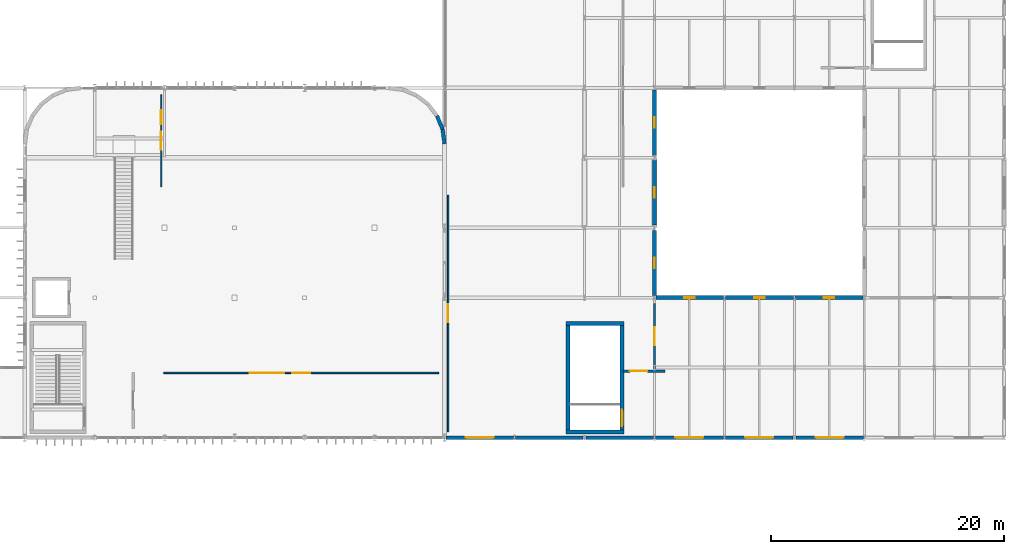
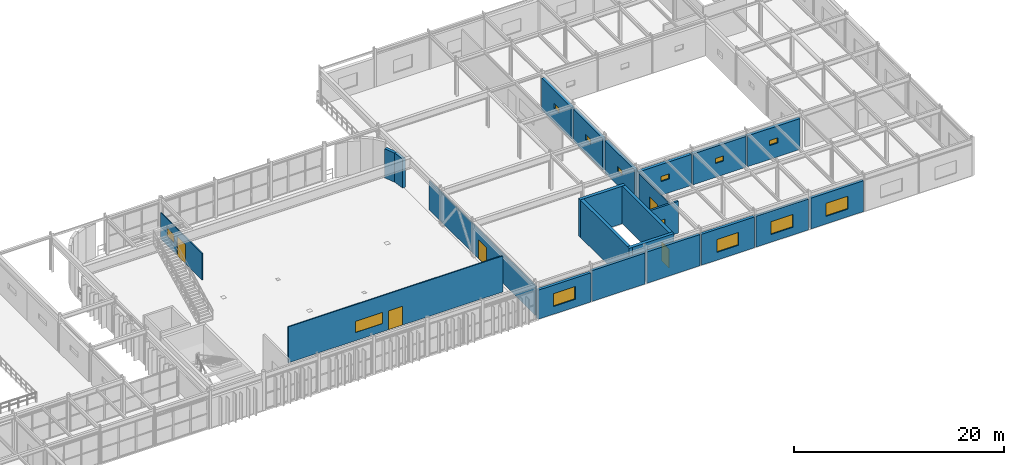
# One storey, part 60 of 84: 23 walls, 12 windows, 6 doors, 18 openings.
"""IFC4 building model written with IfcOpenShell, lengths in metres."""

from ifc_helpers import new_model, si_unit, direction, frame, frame_2d, origin, place, context, subcontext, project, spatial, rectangle, extrude, material, layer, layer_set, type_object, element, fill, save


model = new_model("IFC4")

# Units and contexts
model_context = context("Model", 3, precision=1e-05, world=origin(), true_north=direction((0.0, 1.0)))
body_context = subcontext(model_context, "Body", "Model", "MODEL_VIEW")
ifc_project = project(units=[si_unit("LENGTHUNIT", "METRE"), si_unit("AREAUNIT", "SQUARE_METRE"), si_unit("VOLUMEUNIT", "CUBIC_METRE"), si_unit("PLANEANGLEUNIT", "RADIAN"), si_unit("MASSUNIT", "GRAM", prefix="KILO")], contexts=[model_context])

# Site, building, storey
site_placement = place(None, origin())
site = spatial("IfcSite", under=ifc_project, at=site_placement, CompositionType="ELEMENT")
building_placement = place(site_placement, origin())
building = spatial("IfcBuilding", under=site, at=building_placement, Name="Varnakota Square Police Headquarters", CompositionType="ELEMENT")
storey_placement = place(building_placement, frame((0.0, 0.0, 13.5)))
storey = spatial("IfcBuildingStorey", under=building, at=storey_placement, Name="L03", CompositionType="ELEMENT", Elevation=13.5)

# Wall
ifc_material_1 = material(Name="Concrete M50", Category="concrete")
ifc_layer_1 = layer(ifc_material_1, 0.35009765625, Name="Concrete M50")
ifc_layer_set_1 = layer_set([ifc_layer_1], Name="Concrete M50")
wall_type_1 = type_object("IfcWallType", Name="WL-CORE-350", PredefinedType="SHEAR", material=ifc_layer_set_1)
wall_1_placement = place(storey_placement, frame((106.425048828125, 69.5, 0.0), z_axis=(0.0, 0.0, 1.0), x_axis=(1.0, 0.0, 0.0)))
element("IfcWall", 1, at=wall_1_placement, inside=storey, type_object=wall_type_1, Name="Core C9 shear wall L03 S", PredefinedType="SHEAR", context=body_context, shape_type="SweptSolid", body=[
    extrude(rectangle(XDim=4.949951171875, YDim=0.35009765625, at=frame_2d((2.47509765625, 0.0))), origin(), (0.0, 0.0, 1.0), 4.360107421875),
])

# Wall, opening, door
wall_2_placement = place(storey_placement, frame((111.199951171875, 69.324951171875, 0.0), z_axis=(0.0, 0.0, 1.0), x_axis=(0.0, 1.0, 0.0)))
wall_2 = element("IfcWall", 2, at=wall_2_placement, inside=storey, type_object=wall_type_1, Name="Core C9 shear wall L03 E", PredefinedType="SHEAR", context=body_context, shape_type="SweptSolid", body=[
    extrude(rectangle(XDim=9.650146484375, YDim=0.35009765625, at=frame_2d((4.8251953125, 0.0))), origin(), (0.0, 0.0, 1.0), 4.360107421875),
])
opening_1_placement = place(wall_2_placement, frame((0.655029296875, 0.0, 0.0)))
opening_1 = element("IfcOpeningElement", 3, at=opening_1_placement, cuts=wall_2, Name="Opening SD126", PredefinedType="OPENING", context=body_context, shape_type="SweptSolid", body=[
    extrude(rectangle(XDim=1.39990234375, YDim=2.199951171875, at=frame_2d((0.699951171875, 1.10009765625))), frame((0.0, 0.18505859375, 0.0), z_axis=(0.0, -1.0, 0.0), x_axis=(1.0, 0.0, 0.0)), (0.0, 0.0, 1.0), 0.3701171875),
])
ifc_material_2 = material(Name="Powder-Coated Galvanised Steel", Category="steel")
door_type_1 = type_object("IfcDoorType", Name="DR-ST-140", OperationType="NOTDEFINED", PredefinedType="DOOR", material=ifc_material_2)
door_1_placement = place(opening_1_placement, origin())
door_1 = element("IfcDoor", 4, at=door_1_placement, inside=storey, type_object=door_type_1, Name="Protected stair door SD126", OperationType="DOUBLE_DOOR_SINGLE_SWING", OverallHeight=2.199951171875, OverallWidth=1.39990234375, PredefinedType="DOOR", context=body_context, shape_type="SweptSolid", body=[
    extrude(rectangle(XDim=1.39990234375, YDim=2.199951171875, at=frame_2d((0.699951171875, 1.10009765625))), frame((0.0, 0.02490234375, 0.0), z_axis=(0.0, -1.0, 0.0), x_axis=(1.0, 0.0, 0.0)), (0.0, 0.0, 1.0), 0.050048828125),
])
fill(opening_1, door_1)

# Walls
wall_3_placement = place(storey_placement, frame((111.375, 78.800048828125, 0.0), z_axis=(0.0, 0.0, 1.0), x_axis=(-1.0, 0.0, 0.0)))
element("IfcWall", 5, at=wall_3_placement, inside=storey, type_object=wall_type_1, Name="Core C9 shear wall L03 N", PredefinedType="SHEAR", context=body_context, shape_type="SweptSolid", body=[
    extrude(rectangle(XDim=4.949951171875, YDim=0.35009765625, at=frame_2d((2.47509765625, 0.0))), origin(), (0.0, 0.0, 1.0), 4.360107421875),
])
wall_4_placement = place(storey_placement, frame((106.60009765625, 78.97509765625, 0.0), z_axis=(0.0, 0.0, 1.0), x_axis=(0.0, -1.0, 0.0)))
element("IfcWall", 6, at=wall_4_placement, inside=storey, type_object=wall_type_1, Name="Core C9 shear wall L03 W", PredefinedType="SHEAR", context=body_context, shape_type="SweptSolid", body=[
    extrude(rectangle(XDim=9.650146484375, YDim=0.35009765625, at=frame_2d((4.8251953125, 0.0))), origin(), (0.0, 0.0, 1.0), 4.360107421875),
])

# Wall, opening, window
ifc_material_3 = material(Name="Precast concrete M40", Category="concrete")
ifc_layer_2 = layer(ifc_material_3, 0.300048828125, Name="Precast concrete M40")
ifc_layer_set_2 = layer_set([ifc_layer_2], Name="Precast concrete M40")
wall_type_2 = type_object("IfcWallType", Name="WL-EXT-300", PredefinedType="SOLIDWALL", material=ifc_layer_set_2)
wall_5_placement = place(storey_placement, frame((96.12890625, 69.0, 0.0), z_axis=(0.0, 0.0, 1.0), x_axis=(1.0, 0.0, 0.0)))
wall_5 = element("IfcWall", 7, at=wall_5_placement, inside=storey, type_object=wall_type_2, Name="Exterior wall EW-L03-0768", PredefinedType="SOLIDWALL", context=body_context, shape_type="SweptSolid", body=[
    extrude(rectangle(XDim=5.797119140625, YDim=0.300048828125, at=frame_2d((2.8984375, 0.0))), origin(), (0.0, 0.0, 1.0), 3.389892578125),
])
opening_2_placement = place(wall_5_placement, frame((1.698486328125, 0.0, 0.89990234375)))
opening_2 = element("IfcOpeningElement", 8, at=opening_2_placement, cuts=wall_5, Name="Opening W02", PredefinedType="OPENING", context=body_context, shape_type="SweptSolid", body=[
    extrude(rectangle(XDim=2.39990234375, YDim=1.5, at=frame_2d((1.199951171875, 0.75))), frame((0.0, 0.159912109375, 0.0), z_axis=(0.0, -1.0, 0.0), x_axis=(1.0, 0.0, 0.0)), (0.0, 0.0, 1.0), 0.320068359375),
])
ifc_material_4 = material(Name="Thermally Broken Aluminium Double-Glazed Window", Category="aluminium")
window_type_1 = type_object("IfcWindowType", Name="WIN-02", PartitioningType="SINGLE_PANEL", PredefinedType="WINDOW", material=ifc_material_4)
window_1_placement = place(opening_2_placement, origin())
window_1 = element("IfcWindow", 9, at=window_1_placement, inside=storey, type_object=window_type_1, Name="Window WN-L03-0267", OverallHeight=1.5, OverallWidth=2.39990234375, PartitioningType="SINGLE_PANEL", PredefinedType="WINDOW", context=body_context, shape_type="SweptSolid", body=[
    extrude(rectangle(XDim=2.39990234375, YDim=1.5, at=frame_2d((1.199951171875, 0.75))), frame((0.0, 0.030029296875, 0.0), z_axis=(0.0, -1.0, 0.0), x_axis=(1.0, 0.0, 0.0)), (0.0, 0.0, 1.0), 0.06005859375),
])
fill(opening_2, window_1)

# Walls
wall_6_placement = place(storey_placement, frame((102.073974609375, 69.0, 0.0), z_axis=(0.0, 0.0, 1.0), x_axis=(1.0, 0.0, 0.0)))
element("IfcWall", 10, at=wall_6_placement, inside=storey, type_object=wall_type_2, Name="Exterior wall EW-L03-0769", PredefinedType="SOLIDWALL", context=body_context, shape_type="SweptSolid", body=[
    extrude(rectangle(XDim=5.797119140625, YDim=0.300048828125, at=frame_2d((2.8984375, 0.0))), origin(), (0.0, 0.0, 1.0), 3.590087890625),
])
wall_7_placement = place(storey_placement, frame((108.12890625, 69.0, 0.0), z_axis=(0.0, 0.0, 1.0), x_axis=(1.0, 0.0, 0.0)))
element("IfcWall", 11, at=wall_7_placement, inside=storey, type_object=wall_type_2, Name="Exterior wall EW-L03-0770", PredefinedType="SOLIDWALL", context=body_context, shape_type="SweptSolid", body=[
    extrude(rectangle(XDim=5.7919921875, YDim=0.300048828125, at=frame_2d((2.89599609375, 0.0))), origin(), (0.0, 0.0, 1.0), 3.639892578125),
])

# Wall, opening, window
wall_8_placement = place(storey_placement, frame((114.0791015625, 69.0, 0.0), z_axis=(0.0, 0.0, 1.0), x_axis=(1.0, 0.0, 0.0)))
wall_8 = element("IfcWall", 12, at=wall_8_placement, inside=storey, type_object=wall_type_2, Name="Exterior wall EW-L03-0771", PredefinedType="SOLIDWALL", context=body_context, shape_type="SweptSolid", body=[
    extrude(rectangle(XDim=5.846923828125, YDim=0.300048828125, at=frame_2d((2.92333984375, 0.0))), origin(), (0.0, 0.0, 1.0), 3.590087890625),
])
opening_3_placement = place(wall_8_placement, frame((1.723388671875, 0.0, 0.89990234375)))
opening_3 = element("IfcOpeningElement", 13, at=opening_3_placement, cuts=wall_8, Name="Opening W02", PredefinedType="OPENING", context=body_context, shape_type="SweptSolid", body=[
    extrude(rectangle(XDim=2.39990234375, YDim=1.5, at=frame_2d((1.199951171875, 0.75))), frame((0.0, 0.159912109375, 0.0), z_axis=(0.0, -1.0, 0.0), x_axis=(1.0, 0.0, 0.0)), (0.0, 0.0, 1.0), 0.320068359375),
])
window_2_placement = place(opening_3_placement, origin())
window_2 = element("IfcWindow", 14, at=window_2_placement, inside=storey, type_object=window_type_1, Name="Window WN-L03-0268", OverallHeight=1.5, OverallWidth=2.39990234375, PartitioningType="SINGLE_PANEL", PredefinedType="WINDOW", context=body_context, shape_type="SweptSolid", body=[
    extrude(rectangle(XDim=2.39990234375, YDim=1.5, at=frame_2d((1.199951171875, 0.75))), frame((0.0, 0.030029296875, 0.0), z_axis=(0.0, -1.0, 0.0), x_axis=(1.0, 0.0, 0.0)), (0.0, 0.0, 1.0), 0.06005859375),
])
fill(opening_3, window_2)

wall_9_placement = place(storey_placement, frame((120.073974609375, 69.0, 0.0), z_axis=(0.0, 0.0, 1.0), x_axis=(1.0, 0.0, 0.0)))
wall_9 = element("IfcWall", 15, at=wall_9_placement, inside=storey, type_object=wall_type_2, Name="Exterior wall EW-L03-0772", PredefinedType="SOLIDWALL", context=body_context, shape_type="SweptSolid", body=[
    extrude(rectangle(XDim=5.797119140625, YDim=0.300048828125, at=frame_2d((2.8984375, 0.0))), origin(), (0.0, 0.0, 1.0), 3.590087890625),
])
opening_4_placement = place(wall_9_placement, frame((1.698486328125, 0.0, 0.89990234375)))
opening_4 = element("IfcOpeningElement", 16, at=opening_4_placement, cuts=wall_9, Name="Opening W02", PredefinedType="OPENING", context=body_context, shape_type="SweptSolid", body=[
    extrude(rectangle(XDim=2.39990234375, YDim=1.5, at=frame_2d((1.199951171875, 0.75))), frame((0.0, 0.159912109375, 0.0), z_axis=(0.0, -1.0, 0.0), x_axis=(1.0, 0.0, 0.0)), (0.0, 0.0, 1.0), 0.320068359375),
])
window_3_placement = place(opening_4_placement, origin())
window_3 = element("IfcWindow", 17, at=window_3_placement, inside=storey, type_object=window_type_1, Name="Window WN-L03-0269", OverallHeight=1.5, OverallWidth=2.39990234375, PartitioningType="SINGLE_PANEL", PredefinedType="WINDOW", context=body_context, shape_type="SweptSolid", body=[
    extrude(rectangle(XDim=2.39990234375, YDim=1.5, at=frame_2d((1.199951171875, 0.75))), frame((0.0, 0.030029296875, 0.0), z_axis=(0.0, -1.0, 0.0), x_axis=(1.0, 0.0, 0.0)), (0.0, 0.0, 1.0), 0.06005859375),
])
fill(opening_4, window_3)

wall_10_placement = place(storey_placement, frame((126.12890625, 69.0, 0.0), z_axis=(0.0, 0.0, 1.0), x_axis=(1.0, 0.0, 0.0)))
wall_10 = element("IfcWall", 18, at=wall_10_placement, inside=storey, type_object=wall_type_2, Name="Exterior wall EW-L03-0773", PredefinedType="SOLIDWALL", context=body_context, shape_type="SweptSolid", body=[
    extrude(rectangle(XDim=5.7919921875, YDim=0.300048828125, at=frame_2d((2.89599609375, 0.0))), origin(), (0.0, 0.0, 1.0), 3.590087890625),
])
opening_5_placement = place(wall_10_placement, frame((1.696044921875, 0.0, 0.89990234375)))
opening_5 = element("IfcOpeningElement", 19, at=opening_5_placement, cuts=wall_10, Name="Opening W02", PredefinedType="OPENING", context=body_context, shape_type="SweptSolid", body=[
    extrude(rectangle(XDim=2.39990234375, YDim=1.5, at=frame_2d((1.199951171875, 0.75))), frame((0.0, 0.159912109375, 0.0), z_axis=(0.0, -1.0, 0.0), x_axis=(1.0, 0.0, 0.0)), (0.0, 0.0, 1.0), 0.320068359375),
])
window_4_placement = place(opening_5_placement, origin())
window_4 = element("IfcWindow", 20, at=window_4_placement, inside=storey, type_object=window_type_1, Name="Window WN-L03-0270", OverallHeight=1.5, OverallWidth=2.39990234375, PartitioningType="SINGLE_PANEL", PredefinedType="WINDOW", context=body_context, shape_type="SweptSolid", body=[
    extrude(rectangle(XDim=2.39990234375, YDim=1.5, at=frame_2d((1.199951171875, 0.75))), frame((0.0, 0.030029296875, 0.0), z_axis=(0.0, -1.0, 0.0), x_axis=(1.0, 0.0, 0.0)), (0.0, 0.0, 1.0), 0.06005859375),
])
fill(opening_5, window_4)

# Walls
ifc_layer_3 = layer(ifc_material_3, 0.320068359375, Name="Precast concrete M40")
ifc_layer_set_3 = layer_set([ifc_layer_3], Name="Precast concrete M40")
wall_type_3 = type_object("IfcWallType", Name="WL-EXT-320", PredefinedType="SOLIDWALL", material=ifc_layer_set_3)
for number, where, z_axis, x_axis, name in (
    (21, (96.0, 94.199951171875, 0.0), (0.0, 0.0, 1.0), (-0.130530106475, 0.991444346045, 0.0), "Exterior wall EW-L03-0530"),
    (22, (95.83642578125, 95.4423828125, 0.0), (0.0, 0.0, 1.0), (-0.382650053678, 0.92389335771, 0.0), "Exterior wall EW-L03-0531"),
):
    element("IfcWall", number, at=place(storey_placement, frame(where, z_axis=z_axis, x_axis=x_axis)), inside=storey, type_object=wall_type_3, Name=name, PredefinedType="SOLIDWALL", context=body_context, shape_type="SweptSolid", body=[
        extrude(rectangle(XDim=1.253173828125, YDim=0.320068359375, at=frame_2d((0.62646484375, 0.0))), origin(), (0.0, 0.0, 1.0), 3.389892578125),
    ])

# Wall, opening, window
ifc_material_5 = material(Name="Concrete M40", Category="concrete")
ifc_layer_4 = layer(ifc_material_5, 0.340087890625, Name="Concrete M40")
ifc_layer_set_4 = layer_set([ifc_layer_4], Name="Concrete M40")
wall_type_4 = type_object("IfcWallType", Name="WL-EXT-340", PredefinedType="SOLIDWALL", material=ifc_layer_set_4)
wall_11_placement = place(storey_placement, frame((114.12890625, 81.0, 0.0), z_axis=(0.0, 0.0, 1.0), x_axis=(1.0, 0.0, 0.0)))
wall_11 = element("IfcWall", 23, at=wall_11_placement, inside=storey, type_object=wall_type_4, Name="Exterior wall EW-L03-0783", PredefinedType="SOLIDWALL", context=body_context, shape_type="SweptSolid", body=[
    extrude(rectangle(XDim=5.7919921875, YDim=0.340087890625, at=frame_2d((2.89599609375, 0.0))), origin(), (0.0, 0.0, 1.0), 3.590087890625),
])
opening_6_placement = place(wall_11_placement, frame((2.446044921875, 0.0, 1.60009765625)))
opening_6 = element("IfcOpeningElement", 24, at=opening_6_placement, cuts=wall_11, Name="Opening W13", PredefinedType="OPENING", context=body_context, shape_type="SweptSolid", body=[
    extrude(rectangle(XDim=0.89990234375, YDim=0.60009765625, at=frame_2d((0.449951171875, 0.300048828125))), frame((0.0, 0.179931640625, 0.0), z_axis=(0.0, -1.0, 0.0), x_axis=(1.0, 0.0, 0.0)), (0.0, 0.0, 1.0), 0.360107421875),
])
window_type_2 = type_object("IfcWindowType", Name="WIN-13", PartitioningType="SINGLE_PANEL", PredefinedType="WINDOW", material=ifc_material_4)
window_5_placement = place(opening_6_placement, origin())
window_5 = element("IfcWindow", 25, at=window_5_placement, inside=storey, type_object=window_type_2, Name="Window WN-L03-0280", OverallHeight=0.60009765625, OverallWidth=0.89990234375, PartitioningType="SINGLE_PANEL", PredefinedType="WINDOW", context=body_context, shape_type="SweptSolid", body=[
    extrude(rectangle(XDim=0.89990234375, YDim=0.60009765625, at=frame_2d((0.449951171875, 0.300048828125))), frame((0.0, 0.030029296875, 0.0), z_axis=(0.0, -1.0, 0.0), x_axis=(1.0, 0.0, 0.0)), (0.0, 0.0, 1.0), 0.06005859375),
])
fill(opening_6, window_5)

wall_12_placement = place(storey_placement, frame((120.0791015625, 81.0, 0.0), z_axis=(0.0, 0.0, 1.0), x_axis=(1.0, 0.0, 0.0)))
wall_12 = element("IfcWall", 26, at=wall_12_placement, inside=storey, type_object=wall_type_4, Name="Exterior wall EW-L03-0785", PredefinedType="SOLIDWALL", context=body_context, shape_type="SweptSolid", body=[
    extrude(rectangle(XDim=5.846923828125, YDim=0.340087890625, at=frame_2d((2.92333984375, 0.0))), origin(), (0.0, 0.0, 1.0), 3.590087890625),
])
opening_7_placement = place(wall_12_placement, frame((2.473388671875, 0.0, 1.60009765625)))
opening_7 = element("IfcOpeningElement", 27, at=opening_7_placement, cuts=wall_12, Name="Opening W13", PredefinedType="OPENING", context=body_context, shape_type="SweptSolid", body=[
    extrude(rectangle(XDim=0.89990234375, YDim=0.60009765625, at=frame_2d((0.449951171875, 0.300048828125))), frame((0.0, 0.179931640625, 0.0), z_axis=(0.0, -1.0, 0.0), x_axis=(1.0, 0.0, 0.0)), (0.0, 0.0, 1.0), 0.360107421875),
])
window_6_placement = place(opening_7_placement, origin())
window_6 = element("IfcWindow", 28, at=window_6_placement, inside=storey, type_object=window_type_2, Name="Window WN-L03-0282", OverallHeight=0.60009765625, OverallWidth=0.89990234375, PartitioningType="SINGLE_PANEL", PredefinedType="WINDOW", context=body_context, shape_type="SweptSolid", body=[
    extrude(rectangle(XDim=0.89990234375, YDim=0.60009765625, at=frame_2d((0.449951171875, 0.300048828125))), frame((0.0, 0.030029296875, 0.0), z_axis=(0.0, -1.0, 0.0), x_axis=(1.0, 0.0, 0.0)), (0.0, 0.0, 1.0), 0.06005859375),
])
fill(opening_7, window_6)

wall_13_placement = place(storey_placement, frame((126.073974609375, 81.0, 0.0), z_axis=(0.0, 0.0, 1.0), x_axis=(1.0, 0.0, 0.0)))
wall_13 = element("IfcWall", 29, at=wall_13_placement, inside=storey, type_object=wall_type_4, Name="Exterior wall EW-L03-0787", PredefinedType="SOLIDWALL", context=body_context, shape_type="SweptSolid", body=[
    extrude(rectangle(XDim=5.797119140625, YDim=0.340087890625, at=frame_2d((2.8984375, 0.0))), origin(), (0.0, 0.0, 1.0), 3.590087890625),
])
opening_8_placement = place(wall_13_placement, frame((2.448486328125, 0.0, 1.60009765625)))
opening_8 = element("IfcOpeningElement", 30, at=opening_8_placement, cuts=wall_13, Name="Opening W13", PredefinedType="OPENING", context=body_context, shape_type="SweptSolid", body=[
    extrude(rectangle(XDim=0.89990234375, YDim=0.60009765625, at=frame_2d((0.449951171875, 0.300048828125))), frame((0.0, 0.179931640625, 0.0), z_axis=(0.0, -1.0, 0.0), x_axis=(1.0, 0.0, 0.0)), (0.0, 0.0, 1.0), 0.360107421875),
])
window_7_placement = place(opening_8_placement, origin())
window_7 = element("IfcWindow", 31, at=window_7_placement, inside=storey, type_object=window_type_2, Name="Window WN-L03-0284", OverallHeight=0.60009765625, OverallWidth=0.89990234375, PartitioningType="SINGLE_PANEL", PredefinedType="WINDOW", context=body_context, shape_type="SweptSolid", body=[
    extrude(rectangle(XDim=0.89990234375, YDim=0.60009765625, at=frame_2d((0.449951171875, 0.300048828125))), frame((0.0, 0.030029296875, 0.0), z_axis=(0.0, -1.0, 0.0), x_axis=(1.0, 0.0, 0.0)), (0.0, 0.0, 1.0), 0.06005859375),
])
fill(opening_8, window_7)

wall_14_placement = place(storey_placement, frame((114.0, 81.178955078125, 0.0), z_axis=(0.0, 0.0, 1.0), x_axis=(0.0, 1.0, 0.0)))
wall_14 = element("IfcWall", 32, at=wall_14_placement, inside=storey, type_object=wall_type_4, Name="Exterior wall EW-L03-0789", PredefinedType="SOLIDWALL", context=body_context, shape_type="SweptSolid", body=[
    extrude(rectangle(XDim=5.592041015625, YDim=0.340087890625, at=frame_2d((2.7958984375, 0.0))), origin(), (0.0, 0.0, 1.0), 3.739990234375),
])
opening_9_placement = place(wall_14_placement, frame((2.345947265625, 0.0, 1.60009765625)))
opening_9 = element("IfcOpeningElement", 33, at=opening_9_placement, cuts=wall_14, Name="Opening W13", PredefinedType="OPENING", context=body_context, shape_type="SweptSolid", body=[
    extrude(rectangle(XDim=0.89990234375, YDim=0.60009765625, at=frame_2d((0.449951171875, 0.300048828125))), frame((0.0, 0.179931640625, 0.0), z_axis=(0.0, -1.0, 0.0), x_axis=(1.0, 0.0, 0.0)), (0.0, 0.0, 1.0), 0.360107421875),
])
window_8_placement = place(opening_9_placement, origin())
window_8 = element("IfcWindow", 34, at=window_8_placement, inside=storey, type_object=window_type_2, Name="Window WN-L03-0286", OverallHeight=0.60009765625, OverallWidth=0.89990234375, PartitioningType="SINGLE_PANEL", PredefinedType="WINDOW", context=body_context, shape_type="SweptSolid", body=[
    extrude(rectangle(XDim=0.89990234375, YDim=0.60009765625, at=frame_2d((0.449951171875, 0.300048828125))), frame((0.0, 0.030029296875, 0.0), z_axis=(0.0, -1.0, 0.0), x_axis=(1.0, 0.0, 0.0)), (0.0, 0.0, 1.0), 0.06005859375),
])
fill(opening_9, window_8)

wall_15_placement = place(storey_placement, frame((114.0, 87.22900390625, 0.0), z_axis=(0.0, 0.0, 1.0), x_axis=(0.0, 1.0, 0.0)))
wall_15 = element("IfcWall", 35, at=wall_15_placement, inside=storey, type_object=wall_type_4, Name="Exterior wall EW-L03-0791", PredefinedType="SOLIDWALL", context=body_context, shape_type="SweptSolid", body=[
    extrude(rectangle(XDim=5.56689453125, YDim=0.340087890625, at=frame_2d((2.783447265625, 0.0))), origin(), (0.0, 0.0, 1.0), 3.739990234375),
])
opening_10_placement = place(wall_15_placement, frame((2.33349609375, 0.0, 1.60009765625)))
opening_10 = element("IfcOpeningElement", 36, at=opening_10_placement, cuts=wall_15, Name="Opening W13", PredefinedType="OPENING", context=body_context, shape_type="SweptSolid", body=[
    extrude(rectangle(XDim=0.89990234375, YDim=0.60009765625, at=frame_2d((0.449951171875, 0.300048828125))), frame((0.0, 0.179931640625, 0.0), z_axis=(0.0, -1.0, 0.0), x_axis=(1.0, 0.0, 0.0)), (0.0, 0.0, 1.0), 0.360107421875),
])
window_9_placement = place(opening_10_placement, origin())
window_9 = element("IfcWindow", 37, at=window_9_placement, inside=storey, type_object=window_type_2, Name="Window WN-L03-0288", OverallHeight=0.60009765625, OverallWidth=0.89990234375, PartitioningType="SINGLE_PANEL", PredefinedType="WINDOW", context=body_context, shape_type="SweptSolid", body=[
    extrude(rectangle(XDim=0.89990234375, YDim=0.60009765625, at=frame_2d((0.449951171875, 0.300048828125))), frame((0.0, 0.030029296875, 0.0), z_axis=(0.0, -1.0, 0.0), x_axis=(1.0, 0.0, 0.0)), (0.0, 0.0, 1.0), 0.06005859375),
])
fill(opening_10, window_9)

wall_16_placement = place(storey_placement, frame((114.0, 93.2041015625, 0.0), z_axis=(0.0, 0.0, 1.0), x_axis=(0.0, 1.0, 0.0)))
wall_16 = element("IfcWall", 38, at=wall_16_placement, inside=storey, type_object=wall_type_4, Name="Exterior wall EW-L03-0793", PredefinedType="SOLIDWALL", context=body_context, shape_type="SweptSolid", body=[
    extrude(rectangle(XDim=5.616943359375, YDim=0.340087890625, at=frame_2d((2.80859375, 0.0))), origin(), (0.0, 0.0, 1.0), 3.68994140625),
])
opening_11_placement = place(wall_16_placement, frame((2.3583984375, 0.0, 1.60009765625)))
opening_11 = element("IfcOpeningElement", 39, at=opening_11_placement, cuts=wall_16, Name="Opening W13", PredefinedType="OPENING", context=body_context, shape_type="SweptSolid", body=[
    extrude(rectangle(XDim=0.89990234375, YDim=0.60009765625, at=frame_2d((0.449951171875, 0.300048828125))), frame((0.0, 0.179931640625, 0.0), z_axis=(0.0, -1.0, 0.0), x_axis=(1.0, 0.0, 0.0)), (0.0, 0.0, 1.0), 0.360107421875),
])
window_10_placement = place(opening_11_placement, origin())
window_10 = element("IfcWindow", 40, at=window_10_placement, inside=storey, type_object=window_type_2, Name="Window WN-L03-0290", OverallHeight=0.60009765625, OverallWidth=0.89990234375, PartitioningType="SINGLE_PANEL", PredefinedType="WINDOW", context=body_context, shape_type="SweptSolid", body=[
    extrude(rectangle(XDim=0.89990234375, YDim=0.60009765625, at=frame_2d((0.449951171875, 0.300048828125))), frame((0.0, 0.030029296875, 0.0), z_axis=(0.0, -1.0, 0.0), x_axis=(1.0, 0.0, 0.0)), (0.0, 0.0, 1.0), 0.06005859375),
])
fill(opening_11, window_10)

# Wall, openings, door, window
ifc_material_6 = material(Name="Glazed Clean-Lab Modular Partition", Category="gypsum")
ifc_layer_5 = layer(ifc_material_6, 0.10498046875, Name="Glazed Clean-Lab Modular Partition")
ifc_layer_set_5 = layer_set([ifc_layer_5], Name="Glazed Clean-Lab Modular Partition")
wall_type_5 = type_object("IfcWallType", Name="WL-PRT-105", PredefinedType="PARTITIONING", material=ifc_layer_set_5)
wall_17_placement = place(storey_placement, frame((71.699951171875, 90.5, 0.0), z_axis=(0.0, 0.0, 1.0), x_axis=(0.0, 1.0, 0.0)))
wall_17 = element("IfcWall", 41, at=wall_17_placement, inside=storey, type_object=wall_type_5, Name="Interior partition PW-L03-0170 (112 Emergency Dispatch Hall)", PredefinedType="PARTITIONING", context=body_context, shape_type="SweptSolid", body=[
    extrude(rectangle(XDim=7.89990234375, YDim=0.10498046875, at=frame_2d((3.949951171875, 0.0))), origin(), (0.0, 0.0, 1.0), 3.090087890625),
])
opening_12_placement = place(wall_17_placement, frame((3.175048828125, 0.0, 0.0)))
opening_12 = element("IfcOpeningElement", 42, at=opening_12_placement, cuts=wall_17, Name="Opening D246", PredefinedType="OPENING", context=body_context, shape_type="SweptSolid", body=[
    extrude(rectangle(XDim=1.550048828125, YDim=2.199951171875, at=frame_2d((0.77490234375, 1.10009765625))), frame((0.0, 0.0625, 0.0), z_axis=(0.0, -1.0, 0.0), x_axis=(1.0, 0.0, 0.0)), (0.0, 0.0, 1.0), 0.125),
])
opening_13_placement = place(wall_17_placement, frame((5.375, 0.0, 1.14990234375)))
opening_13 = element("IfcOpeningElement", 43, at=opening_13_placement, cuts=wall_17, Name="Opening IW05", PredefinedType="OPENING", context=body_context, shape_type="SweptSolid", body=[
    extrude(rectangle(XDim=1.199951171875, YDim=0.89990234375, at=frame_2d((0.60009765625, 0.449951171875))), frame((0.0, 0.0625, 0.0), z_axis=(0.0, -1.0, 0.0), x_axis=(1.0, 0.0, 0.0)), (0.0, 0.0, 1.0), 0.125),
])
ifc_material_7 = material(Name="Solid-Core Acoustic Oak Veneer Timber", Category="wood")
door_type_2 = type_object("IfcDoorType", Name="DR-BRF-155", OperationType="NOTDEFINED", PredefinedType="DOOR", material=ifc_material_7)
door_2_placement = place(opening_12_placement, origin())
door_2 = element("IfcDoor", 44, at=door_2_placement, inside=storey, type_object=door_type_2, Name="Room door D246 (112 Emergency Dispatch Hall)", OperationType="DOUBLE_DOOR_SINGLE_SWING", OverallHeight=2.199951171875, OverallWidth=1.550048828125, PredefinedType="DOOR", context=body_context, shape_type="SweptSolid", body=[
    extrude(rectangle(XDim=1.550048828125, YDim=2.199951171875, at=frame_2d((0.77490234375, 1.10009765625))), frame((0.0, 0.02490234375, 0.0), z_axis=(0.0, -1.0, 0.0), x_axis=(1.0, 0.0, 0.0)), (0.0, 0.0, 1.0), 0.050048828125),
])
fill(opening_12, door_2)
ifc_material_8 = material(Name="Acoustic Laminated Interior Vision Glazing", Category="glass")
window_type_3 = type_object("IfcWindowType", Name="WIN-INT-05", PartitioningType="SINGLE_PANEL", PredefinedType="WINDOW", material=ifc_material_8)
window_11_placement = place(opening_13_placement, origin())
window_11 = element("IfcWindow", 45, at=window_11_placement, inside=storey, type_object=window_type_3, Name="Interior observation window IWN-L03-029", OverallHeight=0.89990234375, OverallWidth=1.199951171875, PartitioningType="SINGLE_PANEL", PredefinedType="WINDOW", context=body_context, shape_type="SweptSolid", body=[
    extrude(rectangle(XDim=1.199951171875, YDim=0.89990234375, at=frame_2d((0.60009765625, 0.449951171875))), frame((0.0, 0.030029296875, 0.0), z_axis=(0.0, -1.0, 0.0), x_axis=(1.0, 0.0, 0.0)), (0.0, 0.0, 1.0), 0.06005859375),
])
fill(opening_13, window_11)

ifc_material_9 = material(Name="Acoustic Insulated Metal-Stud Partition", Category="gypsum")
ifc_layer_6 = layer(ifc_material_9, 0.125, Name="Acoustic Insulated Metal-Stud Partition")
ifc_layer_set_6 = layer_set([ifc_layer_6], Name="Acoustic Insulated Metal-Stud Partition")
wall_type_6 = type_object("IfcWallType", Name="WL-PRT-125", PredefinedType="PARTITIONING", material=ifc_layer_set_6)
wall_18_placement = place(storey_placement, frame((95.5, 74.550048828125, 0.0), z_axis=(0.0, 0.0, 1.0), x_axis=(-1.0, 0.0, 0.0)))
wall_18 = element("IfcWall", 46, at=wall_18_placement, inside=storey, type_object=wall_type_6, Name="Interior partition PW-L03-0169 (Integrated Command and Control Room)", PredefinedType="PARTITIONING", context=body_context, shape_type="SweptSolid", body=[
    extrude(rectangle(XDim=23.60009765625, YDim=0.125, at=frame_2d((11.800048828125, 0.0))), origin(), (0.0, 0.0, 1.0), 4.18994140625),
])
opening_14_placement = place(wall_18_placement, frame((11.02490234375, 0.0, 0.0)))
opening_14 = element("IfcOpeningElement", 47, at=opening_14_placement, cuts=wall_18, Name="Opening D245", PredefinedType="OPENING", context=body_context, shape_type="SweptSolid", body=[
    extrude(rectangle(XDim=1.550048828125, YDim=2.199951171875, at=frame_2d((0.77490234375, 1.10009765625))), frame((0.0, 0.072509765625, 0.0), z_axis=(0.0, -1.0, 0.0), x_axis=(1.0, 0.0, 0.0)), (0.0, 0.0, 1.0), 0.14501953125),
])
opening_15_placement = place(wall_18_placement, frame((13.22509765625, 0.0, 0.949951171875)))
opening_15 = element("IfcOpeningElement", 48, at=opening_15_placement, cuts=wall_18, Name="Opening IW04", PredefinedType="OPENING", context=body_context, shape_type="SweptSolid", body=[
    extrude(rectangle(XDim=3.0, YDim=1.300048828125, at=frame_2d((1.5, 0.64990234375))), frame((0.0, 0.072509765625, 0.0), z_axis=(0.0, -1.0, 0.0), x_axis=(1.0, 0.0, 0.0)), (0.0, 0.0, 1.0), 0.14501953125),
])
door_3_placement = place(opening_14_placement, origin())
door_3 = element("IfcDoor", 49, at=door_3_placement, inside=storey, type_object=door_type_2, Name="Room door D245 (Integrated Command and Control Room)", OperationType="DOUBLE_DOOR_SINGLE_SWING", OverallHeight=2.199951171875, OverallWidth=1.550048828125, PredefinedType="DOOR", context=body_context, shape_type="SweptSolid", body=[
    extrude(rectangle(XDim=1.550048828125, YDim=2.199951171875, at=frame_2d((0.77490234375, 1.10009765625))), frame((0.0, 0.02490234375, 0.0), z_axis=(0.0, -1.0, 0.0), x_axis=(1.0, 0.0, 0.0)), (0.0, 0.0, 1.0), 0.050048828125),
])
fill(opening_14, door_3)
window_type_4 = type_object("IfcWindowType", Name="WIN-INT-04", PartitioningType="SINGLE_PANEL", PredefinedType="WINDOW", material=ifc_material_8)
window_12_placement = place(opening_15_placement, origin())
window_12 = element("IfcWindow", 50, at=window_12_placement, inside=storey, type_object=window_type_4, Name="Interior observation window IWN-L03-028", OverallHeight=1.300048828125, OverallWidth=3.0, PartitioningType="SINGLE_PANEL", PredefinedType="WINDOW", context=body_context, shape_type="SweptSolid", body=[
    extrude(rectangle(XDim=3.0, YDim=1.300048828125, at=frame_2d((1.5, 0.64990234375))), frame((0.0, 0.030029296875, 0.0), z_axis=(0.0, -1.0, 0.0), x_axis=(1.0, 0.0, 0.0)), (0.0, 0.0, 1.0), 0.06005859375),
])
fill(opening_15, window_12)

# Wall, opening, door
wall_19_placement = place(storey_placement, frame((96.300048828125, 69.5, 0.0), z_axis=(0.0, 0.0, 1.0), x_axis=(0.0, 1.0, 0.0)))
wall_19 = element("IfcWall", 51, at=wall_19_placement, inside=storey, type_object=wall_type_6, Name="Interior partition PW-L03-0180 (Incident Simulation Classroom)", PredefinedType="PARTITIONING", context=body_context, shape_type="SweptSolid", body=[
    extrude(rectangle(XDim=20.300048828125, YDim=0.125, at=frame_2d((10.14990234375, 0.0))), origin(), (0.0, 0.0, 1.0), 3.389892578125),
])
opening_16_placement = place(wall_19_placement, frame((9.375, 0.0, 0.0)))
opening_16 = element("IfcOpeningElement", 52, at=opening_16_placement, cuts=wall_19, Name="Opening D256", PredefinedType="OPENING", context=body_context, shape_type="SweptSolid", body=[
    extrude(rectangle(XDim=1.550048828125, YDim=2.199951171875, at=frame_2d((0.77490234375, 1.10009765625))), frame((0.0, 0.072509765625, 0.0), z_axis=(0.0, -1.0, 0.0), x_axis=(1.0, 0.0, 0.0)), (0.0, 0.0, 1.0), 0.14501953125),
])
door_4_placement = place(opening_16_placement, origin())
door_4 = element("IfcDoor", 53, at=door_4_placement, inside=storey, type_object=door_type_2, Name="Room door D256 (Incident Simulation Classroom)", OperationType="DOUBLE_DOOR_SINGLE_SWING", OverallHeight=2.199951171875, OverallWidth=1.550048828125, PredefinedType="DOOR", context=body_context, shape_type="SweptSolid", body=[
    extrude(rectangle(XDim=1.550048828125, YDim=2.199951171875, at=frame_2d((0.77490234375, 1.10009765625))), frame((0.0, 0.02490234375, 0.0), z_axis=(0.0, -1.0, 0.0), x_axis=(1.0, 0.0, 0.0)), (0.0, 0.0, 1.0), 0.050048828125),
])
fill(opening_16, door_4)

ifc_layer_7 = layer(ifc_material_9, 0.139892578125, Name="Acoustic Insulated Metal-Stud Partition")
ifc_layer_set_7 = layer_set([ifc_layer_7], Name="Acoustic Insulated Metal-Stud Partition")
wall_type_7 = type_object("IfcWallType", Name="WL-PRT-140", PredefinedType="PARTITIONING", material=ifc_layer_set_7)
wall_20_placement = place(storey_placement, frame((114.0, 74.89990234375, 0.0), z_axis=(0.0, 0.0, 1.0), x_axis=(0.0, 1.0, 0.0)))
wall_20 = element("IfcWall", 54, at=wall_20_placement, inside=storey, type_object=wall_type_7, Name="Interior partition PW-L03-0182 (Command Table-Top Seminar Room)", PredefinedType="PARTITIONING", context=body_context, shape_type="SweptSolid", body=[
    extrude(rectangle(XDim=5.60009765625, YDim=0.139892578125, at=frame_2d((2.800048828125, 0.0))), origin(), (0.0, 0.0, 1.0), 3.68994140625),
])
opening_17_placement = place(wall_20_placement, frame((2.02490234375, 0.0, 0.0)))
opening_17 = element("IfcOpeningElement", 55, at=opening_17_placement, cuts=wall_20, Name="Opening D258", PredefinedType="OPENING", context=body_context, shape_type="SweptSolid", body=[
    extrude(rectangle(XDim=1.550048828125, YDim=2.199951171875, at=frame_2d((0.77490234375, 1.10009765625))), frame((0.0, 0.079833984375, 0.0), z_axis=(0.0, -1.0, 0.0), x_axis=(1.0, 0.0, 0.0)), (0.0, 0.0, 1.0), 0.159912109375),
])
door_5_placement = place(opening_17_placement, origin())
door_5 = element("IfcDoor", 56, at=door_5_placement, inside=storey, type_object=door_type_2, Name="Room door D258 (Command Table-Top Seminar Room)", OperationType="DOUBLE_DOOR_SINGLE_SWING", OverallHeight=2.199951171875, OverallWidth=1.550048828125, PredefinedType="DOOR", context=body_context, shape_type="SweptSolid", body=[
    extrude(rectangle(XDim=1.550048828125, YDim=2.199951171875, at=frame_2d((0.77490234375, 1.10009765625))), frame((0.0, 0.02490234375, 0.0), z_axis=(0.0, -1.0, 0.0), x_axis=(1.0, 0.0, 0.0)), (0.0, 0.0, 1.0), 0.050048828125),
])
fill(opening_17, door_5)

ifc_layer_8 = layer(ifc_material_5, 0.215087890625, Name="Concrete M40")
ifc_layer_set_8 = layer_set([ifc_layer_8], Name="Concrete M40")
wall_type_8 = type_object("IfcWallType", Name="WL-PRT-215F", PredefinedType="PARTITIONING", material=ifc_layer_set_8)
wall_21_placement = place(storey_placement, frame((111.300048828125, 74.699951171875, 0.0), z_axis=(0.0, 0.0, 1.0), x_axis=(1.0, 0.0, 0.0)))
wall_21 = element("IfcWall", 57, at=wall_21_placement, inside=storey, type_object=wall_type_8, Name="Core C9 lobby fire partition L03", PredefinedType="PARTITIONING", context=body_context, shape_type="SweptSolid", body=[
    extrude(rectangle(XDim=3.599853515625, YDim=0.215087890625, at=frame_2d((1.7998046875, 0.0))), origin(), (0.0, 0.0, 1.0), 3.68994140625),
])
opening_18_placement = place(wall_21_placement, frame((0.60009765625, 0.0, 0.0)))
opening_18 = element("IfcOpeningElement", 58, at=opening_18_placement, cuts=wall_21, Name="Opening FD130", PredefinedType="OPENING", context=body_context, shape_type="SweptSolid", body=[
    extrude(rectangle(XDim=1.5, YDim=2.14990234375, at=frame_2d((0.75, 1.074951171875))), frame((0.0, 0.117431640625, 0.0), z_axis=(0.0, -1.0, 0.0), x_axis=(1.0, 0.0, 0.0)), (0.0, 0.0, 1.0), 0.235107421875),
])
ifc_material_10 = material(Name="Smoke-Sealed Galvanised Acoustic Steel", Category="steel")
door_type_3 = type_object("IfcDoorType", Name="DR-FFL-150", OperationType="NOTDEFINED", PredefinedType="DOOR", material=ifc_material_10)
door_6_placement = place(opening_18_placement, origin())
door_6 = element("IfcDoor", 59, at=door_6_placement, inside=storey, type_object=door_type_3, Name="Core lobby smoke door FD130", OperationType="DOUBLE_DOOR_SINGLE_SWING", OverallHeight=2.14990234375, OverallWidth=1.5, PredefinedType="DOOR", context=body_context, shape_type="SweptSolid", body=[
    extrude(rectangle(XDim=1.5, YDim=2.14990234375, at=frame_2d((0.75, 1.074951171875))), frame((0.0, 0.02490234375, 0.0), z_axis=(0.0, -1.0, 0.0), x_axis=(1.0, 0.0, 0.0)), (0.0, 0.0, 1.0), 0.050048828125),
])
fill(opening_18, door_6)

save(model, "model.ifc")
